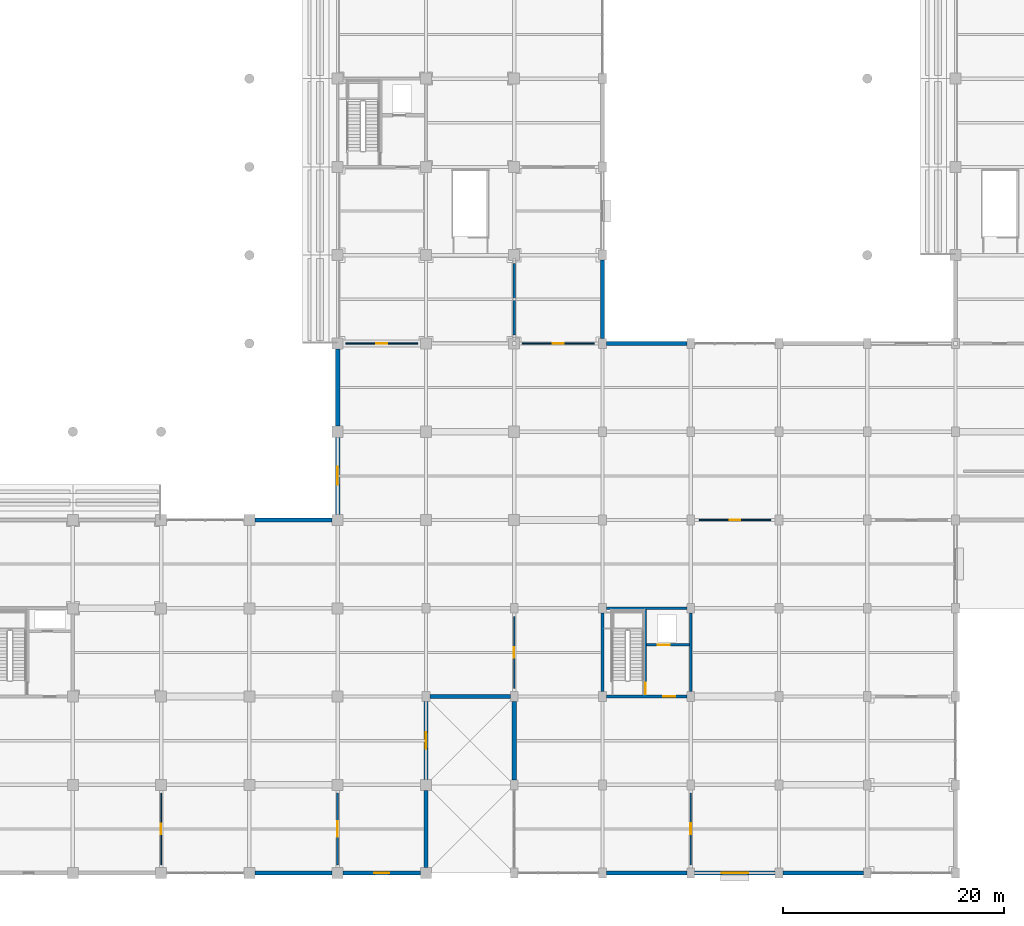
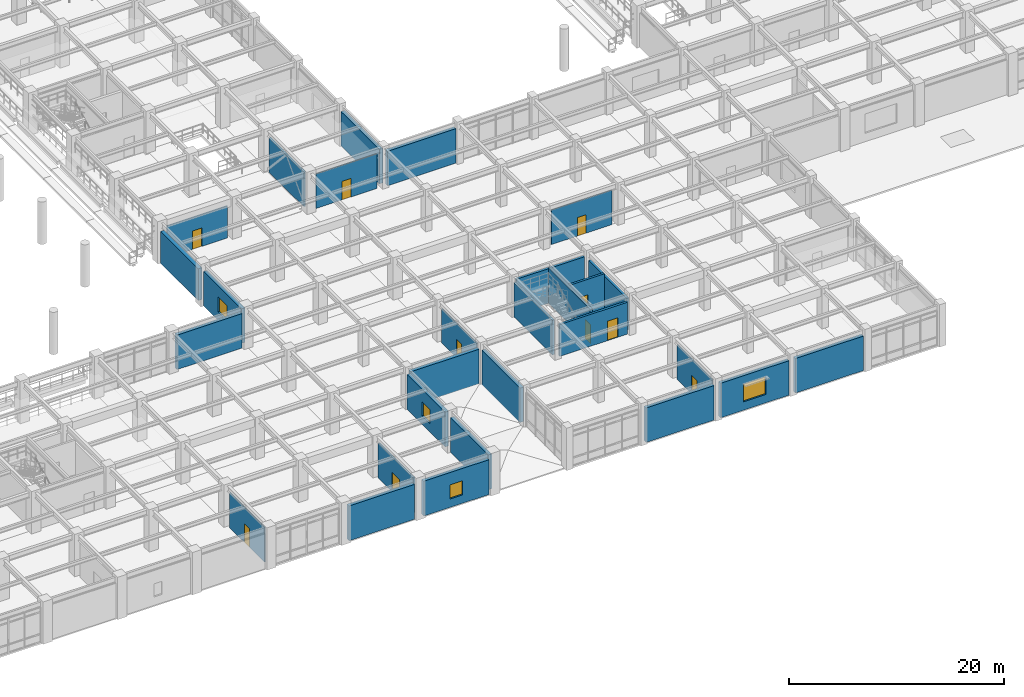
# One storey, part 76 of 117: 28 walls, 10 doors, 4 windows, 14 openings.
"""IFC4 building model written with IfcOpenShell, lengths in metres."""

from ifc_helpers import new_model, si_unit, direction, frame, frame_2d, origin, place, context, subcontext, project, spatial, rectangle, extrude, material, layer, layer_set, type_object, element, fill, save


model = new_model("IFC4")

# Units and contexts
model_context = context("Model", 3, precision=1e-05, world=origin(), true_north=direction((0.0, 1.0)))
body_context = subcontext(model_context, "Body", "Model", "MODEL_VIEW")
ifc_project = project(units=[si_unit("LENGTHUNIT", "METRE"), si_unit("AREAUNIT", "SQUARE_METRE"), si_unit("VOLUMEUNIT", "CUBIC_METRE"), si_unit("PLANEANGLEUNIT", "RADIAN"), si_unit("MASSUNIT", "GRAM", prefix="KILO")], contexts=[model_context])

# Site, building, storey
site_placement = place(None, origin())
site = spatial("IfcSite", under=ifc_project, at=site_placement, CompositionType="ELEMENT")
building_placement = place(site_placement, origin())
building = spatial("IfcBuilding", under=site, at=building_placement, Name="Haebicheon Civic Stadium", CompositionType="ELEMENT")
storey_placement = place(building_placement, frame((0.0, 0.0, 4.800048828125)))
storey = spatial("IfcBuildingStorey", under=building, at=storey_placement, Name="L02", CompositionType="ELEMENT", Elevation=4.800048828125)

# Wall, opening, door
ifc_material_1 = material(Name="Concrete C40/50", Category="concrete")
ifc_layer_1 = layer(ifc_material_1, 0.239990234375, Name="Concrete C40/50")
ifc_layer_set_1 = layer_set([ifc_layer_1], Name="Concrete C40/50")
wall_type_1 = type_object("IfcWallType", Name="CW-SHR-240", PredefinedType="SHEAR", material=ifc_layer_set_1)
wall_1_placement = place(storey_placement, frame((168.35009765625, 16.0, 0.0), z_axis=(0.0, 0.0, 1.0), x_axis=(1.0, 0.0, 0.0)))
wall_1 = element("IfcWall", 1, at=wall_1_placement, inside=storey, type_object=wall_type_1, material=ifc_layer_set_1, Name="KC-14 L02 south core shear wall", PredefinedType="SHEAR", context=body_context, shape_type="SweptSolid", body=[
    extrude(rectangle(XDim=7.2998046875, YDim=0.239990234375, at=frame_2d((3.64990234375, 0.0))), origin(), (0.0, 0.0, 1.0), 3.60986328125),
])
opening_1_placement = place(wall_1_placement, frame((5.14990234375, 0.0, 0.0)))
opening_1 = element("IfcOpeningElement", 2, at=opening_1_placement, cuts=wall_1, Name="Opening D-L02-KC-14-LOB", PredefinedType="OPENING", context=body_context, shape_type="SweptSolid", body=[
    extrude(rectangle(XDim=1.10009765625, YDim=2.199951171875, at=frame_2d((0.550048828125, 1.10009765625))), frame((0.0, 0.1298828125, 0.0), z_axis=(0.0, -1.0, 0.0), x_axis=(1.0, 0.0, 0.0)), (0.0, 0.0, 1.0), 0.260009765625),
])
ifc_material_2 = material(Name="Galvanised painted steel SM355", Category="steel")
door_type_1 = type_object("IfcDoorType", Name="ID-FD-1100", OperationType="NOTDEFINED", PredefinedType="DOOR", material=ifc_material_2)
door_1_placement = place(opening_1_placement, origin())
door_1 = element("IfcDoor", 3, at=door_1_placement, inside=storey, type_object=door_type_1, material=ifc_material_2, Name="L02 KC-14 lobby fire door", OperationType="SINGLE_SWING_RIGHT", OverallHeight=2.199951171875, OverallWidth=1.10009765625, PredefinedType="DOOR", context=body_context, shape_type="SweptSolid", body=[
    extrude(rectangle(XDim=1.10009765625, YDim=2.199951171875, at=frame_2d((0.550048828125, 1.10009765625))), frame((0.0, 0.02490234375, 0.0), z_axis=(0.0, -1.0, 0.0), x_axis=(1.0, 0.0, 0.0)), (0.0, 0.0, 1.0), 0.050048828125),
])
fill(opening_1, door_1)

# Walls
wall_2_placement = place(storey_placement, frame((168.35009765625, 24.0, 0.0), z_axis=(0.0, 0.0, 1.0), x_axis=(1.0, 0.0, 0.0)))
element("IfcWall", 4, at=wall_2_placement, inside=storey, type_object=wall_type_1, material=ifc_layer_set_1, Name="KC-14 L02 north core shear wall", PredefinedType="SHEAR", context=body_context, shape_type="SweptSolid", body=[
    extrude(rectangle(XDim=7.2998046875, YDim=0.239990234375, at=frame_2d((3.64990234375, 0.0))), origin(), (0.0, 0.0, 1.0), 3.909912109375),
])
wall_3_placement = place(storey_placement, frame((168.0, 16.449951171875, 0.0), z_axis=(0.0, 0.0, 1.0), x_axis=(0.0, 1.0, 0.0)))
element("IfcWall", 5, at=wall_3_placement, inside=storey, type_object=wall_type_1, material=ifc_layer_set_1, Name="KC-14 L02 west core shear wall", PredefinedType="SHEAR", context=body_context, shape_type="SweptSolid", body=[
    extrude(rectangle(XDim=7.10009765625, YDim=0.239990234375, at=frame_2d((3.550048828125, 0.0))), origin(), (0.0, 0.0, 1.0), 3.909912109375),
])
wall_4_placement = place(storey_placement, frame((176.0, 16.449951171875, 0.0), z_axis=(0.0, 0.0, 1.0), x_axis=(0.0, 1.0, 0.0)))
element("IfcWall", 6, at=wall_4_placement, inside=storey, type_object=wall_type_1, material=ifc_layer_set_1, Name="KC-14 L02 east core shear wall", PredefinedType="SHEAR", context=body_context, shape_type="SweptSolid", body=[
    extrude(rectangle(XDim=7.10009765625, YDim=0.239990234375, at=frame_2d((3.550048828125, 0.0))), origin(), (0.0, 0.0, 1.0), 3.60986328125),
])

# Wall, opening, door
wall_5_placement = place(storey_placement, frame((171.8798828125, 16.1201171875, 0.0), z_axis=(0.0, 0.0, 1.0), x_axis=(0.0, 1.0, 0.0)))
wall_5 = element("IfcWall", 7, at=wall_5_placement, inside=storey, type_object=wall_type_1, material=ifc_layer_set_1, Name="KC-14 L02 stair-lobby dividing shear wall", PredefinedType="SHEAR", context=body_context, shape_type="SweptSolid", body=[
    extrude(rectangle(XDim=7.759765625, YDim=0.239990234375, at=frame_2d((3.8798828125, 0.0))), origin(), (0.0, 0.0, 1.0), 4.010009765625),
])
opening_2_placement = place(wall_5_placement, frame((0.080078125, 0.0, 0.0)))
opening_2 = element("IfcOpeningElement", 8, at=opening_2_placement, cuts=wall_5, Name="Opening D-L02-KC-14-STR", PredefinedType="OPENING", context=body_context, shape_type="SweptSolid", body=[
    extrude(rectangle(XDim=1.050048828125, YDim=2.14990234375, at=frame_2d((0.52490234375, 1.074951171875))), frame((0.0, 0.1298828125, 0.0), z_axis=(0.0, -1.0, 0.0), x_axis=(1.0, 0.0, 0.0)), (0.0, 0.0, 1.0), 0.260009765625),
])
ifc_material_3 = material(Name="Galvanised painted steel SM355", Category="steel")
door_type_2 = type_object("IfcDoorType", Name="ID-FD-1050", OperationType="NOTDEFINED", PredefinedType="DOOR", material=ifc_material_3)
door_2_placement = place(opening_2_placement, origin())
door_2 = element("IfcDoor", 9, at=door_2_placement, inside=storey, type_object=door_type_2, material=ifc_material_3, Name="L02 ST-14 stairwell escape door", OperationType="SINGLE_SWING_LEFT", OverallHeight=2.14990234375, OverallWidth=1.050048828125, PredefinedType="DOOR", context=body_context, shape_type="SweptSolid", body=[
    extrude(rectangle(XDim=1.050048828125, YDim=2.14990234375, at=frame_2d((0.52490234375, 1.074951171875))), frame((0.0, 0.02490234375, 0.0), z_axis=(0.0, -1.0, 0.0), x_axis=(1.0, 0.0, 0.0)), (0.0, 0.0, 1.0), 0.050048828125),
])
fill(opening_2, door_2)

wall_6_placement = place(storey_placement, frame((172.0, 20.679931640625, 0.0), z_axis=(0.0, 0.0, 1.0), x_axis=(1.0, 0.0, 0.0)))
wall_6 = element("IfcWall", 10, at=wall_6_placement, inside=storey, type_object=wall_type_1, material=ifc_layer_set_1, Name="KC-14 L02 lift shaft front wall", PredefinedType="SHEAR", context=body_context, shape_type="SweptSolid", body=[
    extrude(rectangle(XDim=3.8798828125, YDim=0.239990234375, at=frame_2d((1.93994140625, 0.0))), origin(), (0.0, 0.0, 1.0), 3.909912109375),
])
opening_3_placement = place(wall_6_placement, frame((1.0, 0.0, 0.0)))
opening_3 = element("IfcOpeningElement", 11, at=opening_3_placement, cuts=wall_6, Name="Opening LD-10-L02", PredefinedType="OPENING", context=body_context, shape_type="SweptSolid", body=[
    extrude(rectangle(XDim=1.10009765625, YDim=2.14990234375, at=frame_2d((0.550048828125, 1.074951171875))), frame((0.0, 0.1298828125, 0.0), z_axis=(0.0, -1.0, 0.0), x_axis=(1.0, 0.0, 0.0)), (0.0, 0.0, 1.0), 0.260009765625),
])
ifc_material_4 = material(Name="Stainless steel 316", Category="steel")
door_type_3 = type_object("IfcDoorType", Name="ID-LD-1100", OperationType="NOTDEFINED", PredefinedType="DOOR", material=ifc_material_4)
door_3_placement = place(opening_3_placement, origin())
door_3 = element("IfcDoor", 12, at=door_3_placement, inside=storey, type_object=door_type_3, material=ifc_material_4, Name="LF-10 lift landing sliding door L02", OperationType="SLIDING_TO_LEFT", OverallHeight=2.14990234375, OverallWidth=1.10009765625, PredefinedType="DOOR", context=body_context, shape_type="SweptSolid", body=[
    extrude(rectangle(XDim=1.10009765625, YDim=2.14990234375, at=frame_2d((0.550048828125, 1.074951171875))), frame((0.0, 0.02490234375, 0.0), z_axis=(0.0, -1.0, 0.0), x_axis=(1.0, 0.0, 0.0)), (0.0, 0.0, 1.0), 0.050048828125),
])
fill(opening_3, door_3)

# Walls
ifc_material_5 = material(Name="Concrete C40/50", Category="concrete")
ifc_layer_2 = layer(ifc_material_5, 0.3798828125, Name="Concrete C40/50")
ifc_layer_set_2 = layer_set([ifc_layer_2], Name="Concrete C40/50")
wall_type_2 = type_object("IfcWallType", Name="EW-BM-380", PredefinedType="SOLIDWALL", material=ifc_layer_set_2)
wall_7_placement = place(storey_placement, frame((136.5, 0.0, 0.0), z_axis=(0.0, 0.0, 1.0), x_axis=(1.0, 0.0, 0.0)))
element("IfcWall", 13, at=wall_7_placement, inside=storey, type_object=wall_type_2, material=ifc_layer_set_2, Name="L02 board-marked concrete facade wall 17-00-S", PredefinedType="SOLIDWALL", context=body_context, shape_type="SweptSolid", body=[
    extrude(rectangle(XDim=7.0, YDim=0.3798828125, at=frame_2d((3.5, 0.0))), origin(), (0.0, 0.0, 1.0), 3.949951171875),
])
wall_8_placement = place(storey_placement, frame((136.5, 32.0, 0.0), z_axis=(0.0, 0.0, 1.0), x_axis=(1.0, 0.0, 0.0)))
element("IfcWall", 14, at=wall_8_placement, inside=storey, type_object=wall_type_2, material=ifc_layer_set_2, Name="L02 board-marked concrete facade wall 17-04-N", PredefinedType="SOLIDWALL", context=body_context, shape_type="SweptSolid", body=[
    extrude(rectangle(XDim=7.0, YDim=0.3798828125, at=frame_2d((3.5, 0.0))), origin(), (0.0, 0.0, 1.0), 3.909912109375),
])

# Wall, opening, window
wall_9_placement = place(storey_placement, frame((144.5, 0.0, 0.0), z_axis=(0.0, 0.0, 1.0), x_axis=(1.0, 0.0, 0.0)))
wall_9 = element("IfcWall", 15, at=wall_9_placement, inside=storey, type_object=wall_type_2, material=ifc_layer_set_2, Name="L02 board-marked concrete facade wall 18-00-S", PredefinedType="SOLIDWALL", context=body_context, shape_type="SweptSolid", body=[
    extrude(rectangle(XDim=7.0, YDim=0.3798828125, at=frame_2d((3.5, 0.0))), origin(), (0.0, 0.0, 1.0), 3.949951171875),
])
opening_4_placement = place(wall_9_placement, frame((2.824951171875, 0.0, 0.949951171875)))
opening_4 = element("IfcOpeningElement", 16, at=opening_4_placement, cuts=wall_9, Name="Opening WIN-135x160", PredefinedType="OPENING", context=body_context, shape_type="SweptSolid", body=[
    extrude(rectangle(XDim=1.35009765625, YDim=1.60009765625, at=frame_2d((0.675048828125, 0.800048828125))), frame((0.0, 0.199951171875, 0.0), z_axis=(0.0, -1.0, 0.0), x_axis=(1.0, 0.0, 0.0)), (0.0, 0.0, 1.0), 0.39990234375),
])
ifc_material_6 = material(Name="Anodised aluminium and laminated glass", Category="aluminium")
window_type_1 = type_object("IfcWindowType", Name="WIN-135x160", PartitioningType="SINGLE_PANEL", PredefinedType="WINDOW", material=ifc_material_6)
window_1_placement = place(opening_4_placement, origin())
window_1 = element("IfcWindow", 17, at=window_1_placement, inside=storey, type_object=window_type_1, material=ifc_material_6, Name="L02 facade window 048", OverallHeight=1.60009765625, OverallWidth=1.35009765625, PartitioningType="SINGLE_PANEL", PredefinedType="WINDOW", context=body_context, shape_type="SweptSolid", body=[
    extrude(rectangle(XDim=1.35009765625, YDim=1.60009765625, at=frame_2d((0.675048828125, 0.800048828125))), frame((0.0, 0.030029296875, 0.0), z_axis=(0.0, -1.0, 0.0), x_axis=(1.0, 0.0, 0.0)), (0.0, 0.0, 1.0), 0.06005859375),
])
fill(opening_4, window_1)

# Wall
wall_10_placement = place(storey_placement, frame((152.0, 0.5, 0.0), z_axis=(0.0, 0.0, 1.0), x_axis=(0.0, 1.0, 0.0)))
element("IfcWall", 18, at=wall_10_placement, inside=storey, type_object=wall_type_2, material=ifc_layer_set_2, Name="L02 board-marked concrete facade wall 19-00-E", PredefinedType="SOLIDWALL", context=body_context, shape_type="SweptSolid", body=[
    extrude(rectangle(XDim=7.0, YDim=0.3798828125, at=frame_2d((3.5, 0.0))), origin(), (0.0, 0.0, 1.0), 3.949951171875),
])

# Wall, opening, window
wall_11_placement = place(storey_placement, frame((152.0, 8.5, 0.0), z_axis=(0.0, 0.0, 1.0), x_axis=(0.0, 1.0, 0.0)))
wall_11 = element("IfcWall", 19, at=wall_11_placement, inside=storey, type_object=wall_type_2, material=ifc_layer_set_2, Name="L02 board-marked concrete facade wall 19-01-E", PredefinedType="SOLIDWALL", context=body_context, shape_type="SweptSolid", body=[
    extrude(rectangle(XDim=7.050048828125, YDim=0.3798828125, at=frame_2d((3.52490234375, 0.0))), origin(), (0.0, 0.0, 1.0), 3.949951171875),
])
opening_5_placement = place(wall_11_placement, frame((2.77490234375, 0.0, 0.949951171875)))
opening_5 = element("IfcOpeningElement", 20, at=opening_5_placement, cuts=wall_11, Name="Opening WIN-150x160", PredefinedType="OPENING", context=body_context, shape_type="SweptSolid", body=[
    extrude(rectangle(XDim=1.5, YDim=1.60009765625, at=frame_2d((0.75, 0.800048828125))), frame((0.0, 0.199951171875, 0.0), z_axis=(0.0, -1.0, 0.0), x_axis=(1.0, 0.0, 0.0)), (0.0, 0.0, 1.0), 0.39990234375),
])
ifc_material_7 = material(Name="Anodised aluminium and laminated glass", Category="aluminium")
window_type_2 = type_object("IfcWindowType", Name="WIN-150x160", PartitioningType="SINGLE_PANEL", PredefinedType="WINDOW", material=ifc_material_7)
window_2_placement = place(opening_5_placement, origin())
window_2 = element("IfcWindow", 21, at=window_2_placement, inside=storey, type_object=window_type_2, material=ifc_material_7, Name="L02 facade window 049", OverallHeight=1.60009765625, OverallWidth=1.5, PartitioningType="SINGLE_PANEL", PredefinedType="WINDOW", context=body_context, shape_type="SweptSolid", body=[
    extrude(rectangle(XDim=1.5, YDim=1.60009765625, at=frame_2d((0.75, 0.800048828125))), frame((0.0, 0.030029296875, 0.0), z_axis=(0.0, -1.0, 0.0), x_axis=(1.0, 0.0, 0.0)), (0.0, 0.0, 1.0), 0.06005859375),
])
fill(opening_5, window_2)

wall_12_placement = place(storey_placement, frame((144.0, 32.5, 0.0), z_axis=(0.0, 0.0, 1.0), x_axis=(0.0, 1.0, 0.0)))
wall_12 = element("IfcWall", 22, at=wall_12_placement, inside=storey, type_object=wall_type_2, material=ifc_layer_set_2, Name="L02 board-marked concrete facade wall 18-04-W", PredefinedType="SOLIDWALL", context=body_context, shape_type="SweptSolid", body=[
    extrude(rectangle(XDim=7.0, YDim=0.3798828125, at=frame_2d((3.5, 0.0))), origin(), (0.0, 0.0, 1.0), 3.909912109375),
])
opening_6_placement = place(wall_12_placement, frame((2.675048828125, 0.0, 0.949951171875)))
opening_6 = element("IfcOpeningElement", 23, at=opening_6_placement, cuts=wall_12, Name="Opening WIN-165x170", PredefinedType="OPENING", context=body_context, shape_type="SweptSolid", body=[
    extrude(rectangle(XDim=1.64990234375, YDim=1.699951171875, at=frame_2d((0.824951171875, 0.85009765625))), frame((0.0, 0.199951171875, 0.0), z_axis=(0.0, -1.0, 0.0), x_axis=(1.0, 0.0, 0.0)), (0.0, 0.0, 1.0), 0.39990234375),
])
ifc_material_8 = material(Name="Anodised aluminium and laminated glass", Category="aluminium")
window_type_3 = type_object("IfcWindowType", Name="WIN-165x170", PartitioningType="SINGLE_PANEL", PredefinedType="WINDOW", material=ifc_material_8)
window_3_placement = place(opening_6_placement, origin())
window_3 = element("IfcWindow", 24, at=window_3_placement, inside=storey, type_object=window_type_3, material=ifc_material_8, Name="L02 facade window 050", OverallHeight=1.699951171875, OverallWidth=1.64990234375, PartitioningType="SINGLE_PANEL", PredefinedType="WINDOW", context=body_context, shape_type="SweptSolid", body=[
    extrude(rectangle(XDim=1.64990234375, YDim=1.699951171875, at=frame_2d((0.824951171875, 0.85009765625))), frame((0.0, 0.030029296875, 0.0), z_axis=(0.0, -1.0, 0.0), x_axis=(1.0, 0.0, 0.0)), (0.0, 0.0, 1.0), 0.06005859375),
])
fill(opening_6, window_3)

# Walls
wall_13_placement = place(storey_placement, frame((144.0, 40.5, 0.0), z_axis=(0.0, 0.0, 1.0), x_axis=(0.0, 1.0, 0.0)))
element("IfcWall", 25, at=wall_13_placement, inside=storey, type_object=wall_type_2, material=ifc_layer_set_2, Name="L02 board-marked concrete facade wall 18-05-W", PredefinedType="SOLIDWALL", context=body_context, shape_type="SweptSolid", body=[
    extrude(rectangle(XDim=7.0, YDim=0.3798828125, at=frame_2d((3.5, 0.0))), origin(), (0.0, 0.0, 1.0), 3.60986328125),
])
wall_14_placement = place(storey_placement, frame((152.35009765625, 16.0, 0.0), z_axis=(0.0, 0.0, 1.0), x_axis=(1.0, 0.0, 0.0)))
element("IfcWall", 26, at=wall_14_placement, inside=storey, type_object=wall_type_2, material=ifc_layer_set_2, Name="L02 board-marked concrete facade wall 19-02-S", PredefinedType="SOLIDWALL", context=body_context, shape_type="SweptSolid", body=[
    extrude(rectangle(XDim=7.2998046875, YDim=0.3798828125, at=frame_2d((3.64990234375, 0.0))), origin(), (0.0, 0.0, 1.0), 3.909912109375),
])
for number, where, z_axis, x_axis, name in (
    (27, (160.0, 8.449951171875, 0.0), (0.0, 0.0, 1.0), (0.0, 1.0, 0.0), "L02 board-marked concrete facade wall 20-01-W"),
    (28, (168.0, 48.449951171875, 0.0), (0.0, 0.0, 1.0), (0.0, 1.0, 0.0), "L02 board-marked concrete facade wall 21-06-E"),
):
    element("IfcWall", number, at=place(storey_placement, frame(where, z_axis=z_axis, x_axis=x_axis)), inside=storey, type_object=wall_type_2, material=ifc_layer_set_2, Name=name, PredefinedType="SOLIDWALL", context=body_context, shape_type="SweptSolid", body=[
        extrude(rectangle(XDim=7.10009765625, YDim=0.3798828125, at=frame_2d((3.550048828125, 0.0))), origin(), (0.0, 0.0, 1.0), 3.909912109375),
    ])
for number, where, z_axis, x_axis, name in (
    (29, (168.35009765625, 0.0, 0.0), (0.0, 0.0, 1.0), (1.0, 0.0, 0.0), "L02 board-marked concrete facade wall 21-00-S"),
    (30, (168.35009765625, 48.0, 0.0), (0.0, 0.0, 1.0), (1.0, 0.0, 0.0), "L02 board-marked concrete facade wall 21-06-N"),
):
    element("IfcWall", number, at=place(storey_placement, frame(where, z_axis=z_axis, x_axis=x_axis)), inside=storey, type_object=wall_type_2, material=ifc_layer_set_2, Name=name, PredefinedType="SOLIDWALL", context=body_context, shape_type="SweptSolid", body=[
        extrude(rectangle(XDim=7.2998046875, YDim=0.3798828125, at=frame_2d((3.64990234375, 0.0))), origin(), (0.0, 0.0, 1.0), 3.909912109375),
    ])

# Wall, opening, window
wall_15_placement = place(storey_placement, frame((176.35009765625, 0.0, 0.0), z_axis=(0.0, 0.0, 1.0), x_axis=(1.0, 0.0, 0.0)))
wall_15 = element("IfcWall", 31, at=wall_15_placement, inside=storey, type_object=wall_type_2, material=ifc_layer_set_2, Name="L02 board-marked concrete facade wall 22-00-S", PredefinedType="SOLIDWALL", context=body_context, shape_type="SweptSolid", body=[
    extrude(rectangle(XDim=7.2998046875, YDim=0.3798828125, at=frame_2d((3.64990234375, 0.0))), origin(), (0.0, 0.0, 1.0), 3.909912109375),
])
opening_7_placement = place(wall_15_placement, frame((2.449951171875, 0.0, 0.949951171875)))
opening_7 = element("IfcOpeningElement", 32, at=opening_7_placement, cuts=wall_15, Name="Opening WIN-240x200", PredefinedType="OPENING", context=body_context, shape_type="SweptSolid", body=[
    extrude(rectangle(XDim=2.39990234375, YDim=2.0, at=frame_2d((1.199951171875, 1.0))), frame((0.0, 0.199951171875, 0.0), z_axis=(0.0, -1.0, 0.0), x_axis=(1.0, 0.0, 0.0)), (0.0, 0.0, 1.0), 0.39990234375),
])
ifc_material_9 = material(Name="Anodised aluminium and laminated glass", Category="aluminium")
window_type_4 = type_object("IfcWindowType", Name="WIN-240x200", PartitioningType="SINGLE_PANEL", PredefinedType="WINDOW", material=ifc_material_9)
window_4_placement = place(opening_7_placement, origin())
window_4 = element("IfcWindow", 33, at=window_4_placement, inside=storey, type_object=window_type_4, material=ifc_material_9, Name="L02 facade window 055", OverallHeight=2.0, OverallWidth=2.39990234375, PartitioningType="SINGLE_PANEL", PredefinedType="WINDOW", context=body_context, shape_type="SweptSolid", body=[
    extrude(rectangle(XDim=2.39990234375, YDim=2.0, at=frame_2d((1.199951171875, 1.0))), frame((0.0, 0.030029296875, 0.0), z_axis=(0.0, -1.0, 0.0), x_axis=(1.0, 0.0, 0.0)), (0.0, 0.0, 1.0), 0.06005859375),
])
fill(opening_7, window_4)

# Walls
wall_16_placement = place(storey_placement, frame((184.35009765625, 0.0, 0.0), z_axis=(0.0, 0.0, 1.0), x_axis=(1.0, 0.0, 0.0)))
element("IfcWall", 34, at=wall_16_placement, inside=storey, type_object=wall_type_2, material=ifc_layer_set_2, Name="L02 board-marked concrete facade wall 23-00-S", PredefinedType="SOLIDWALL", context=body_context, shape_type="SweptSolid", body=[
    extrude(rectangle(XDim=7.2998046875, YDim=0.3798828125, at=frame_2d((3.64990234375, 0.0))), origin(), (0.0, 0.0, 1.0), 3.909912109375),
])
ifc_material_10 = material(Name="Concrete C35/45", Category="concrete")
ifc_layer_3 = layer(ifc_material_10, 0.199951171875, Name="Concrete C35/45")
ifc_layer_set_3 = layer_set([ifc_layer_3], Name="Concrete C35/45")
wall_type_3 = type_object("IfcWallType", Name="IW-FIR-200", PredefinedType="PARTITIONING", material=ifc_layer_set_3)
wall_17_placement = place(storey_placement, frame((160.0, 48.75, 0.0), z_axis=(0.0, 0.0, 1.0), x_axis=(0.0, 1.0, 0.0)))
element("IfcWall", 35, at=wall_17_placement, inside=storey, type_object=wall_type_3, material=ifc_layer_set_3, Name="L02 braced-frame solid fire wall 20-06", PredefinedType="PARTITIONING", context=body_context, shape_type="SweptSolid", body=[
    extrude(rectangle(XDim=6.5, YDim=0.199951171875, at=frame_2d((3.25, 0.0))), origin(), (0.0, 0.0, 1.0), 3.909912109375),
])

# Wall, opening, door
ifc_material_11 = material(Name="Anodised aluminium and laminated glass", Category="aluminium")
ifc_layer_4 = layer(ifc_material_11, 0.10009765625, Name="Anodised aluminium and laminated glass")
ifc_layer_set_4 = layer_set([ifc_layer_4], Name="Anodised aluminium and laminated glass")
wall_type_4 = type_object("IfcWallType", Name="IW-PRT-100", PredefinedType="PARTITIONING", material=ifc_layer_set_4)
wall_18_placement = place(storey_placement, frame((160.0, 16.75, 0.0), z_axis=(0.0, 0.0, 1.0), x_axis=(0.0, 1.0, 0.0)))
wall_18 = element("IfcWall", 36, at=wall_18_placement, inside=storey, type_object=wall_type_4, material=ifc_layer_set_4, Name="L02 Supporters' Club Lounge partition wall", PredefinedType="PARTITIONING", context=body_context, shape_type="SweptSolid", body=[
    extrude(rectangle(XDim=6.5, YDim=0.10009765625, at=frame_2d((3.25, 0.0))), origin(), (0.0, 0.0, 1.0), 3.909912109375),
])
opening_8_placement = place(wall_18_placement, frame((2.77490234375, 0.0, 0.0)))
opening_8 = element("IfcOpeningElement", 37, at=opening_8_placement, cuts=wall_18, Name="Opening D-L02-233", PredefinedType="OPENING", context=body_context, shape_type="SweptSolid", body=[
    extrude(rectangle(XDim=0.949951171875, YDim=2.10009765625, at=frame_2d((0.47509765625, 1.050048828125))), frame((0.0, 0.06005859375, 0.0), z_axis=(0.0, -1.0, 0.0), x_axis=(1.0, 0.0, 0.0)), (0.0, 0.0, 1.0), 0.1201171875),
])
ifc_material_12 = material(Name="Engineered hardwood timber", Category="wood")
door_type_4 = type_object("IfcDoorType", Name="ID-RM-0950", OperationType="NOTDEFINED", PredefinedType="DOOR", material=ifc_material_12)
door_4_placement = place(opening_8_placement, origin())
door_4 = element("IfcDoor", 38, at=door_4_placement, inside=storey, type_object=door_type_4, material=ifc_material_12, Name="L02 Supporters' Club Lounge entrance door D-L02-233", OperationType="SINGLE_SWING_RIGHT", OverallHeight=2.10009765625, OverallWidth=0.949951171875, PredefinedType="DOOR", context=body_context, shape_type="SweptSolid", body=[
    extrude(rectangle(XDim=0.949951171875, YDim=2.10009765625, at=frame_2d((0.47509765625, 1.050048828125))), frame((0.0, 0.02490234375, 0.0), z_axis=(0.0, -1.0, 0.0), x_axis=(1.0, 0.0, 0.0)), (0.0, 0.0, 1.0), 0.050048828125),
])
fill(opening_8, door_4)

wall_19_placement = place(storey_placement, frame((176.75, 32.0, 0.0), z_axis=(0.0, 0.0, 1.0), x_axis=(1.0, 0.0, 0.0)))
wall_19 = element("IfcWall", 39, at=wall_19_placement, inside=storey, type_object=wall_type_4, material=ifc_layer_set_4, Name="L02 Supporters' Club Lounge partition wall", PredefinedType="PARTITIONING", context=body_context, shape_type="SweptSolid", body=[
    extrude(rectangle(XDim=6.5, YDim=0.10009765625, at=frame_2d((3.25, 0.0))), origin(), (0.0, 0.0, 1.0), 3.909912109375),
])
opening_9_placement = place(wall_19_placement, frame((2.77490234375, 0.0, 0.0)))
opening_9 = element("IfcOpeningElement", 40, at=opening_9_placement, cuts=wall_19, Name="Opening D-L02-241", PredefinedType="OPENING", context=body_context, shape_type="SweptSolid", body=[
    extrude(rectangle(XDim=0.949951171875, YDim=2.10009765625, at=frame_2d((0.47509765625, 1.050048828125))), frame((0.0, 0.06005859375, 0.0), z_axis=(0.0, -1.0, 0.0), x_axis=(1.0, 0.0, 0.0)), (0.0, 0.0, 1.0), 0.1201171875),
])
door_5_placement = place(opening_9_placement, origin())
door_5 = element("IfcDoor", 41, at=door_5_placement, inside=storey, type_object=door_type_4, material=ifc_material_12, Name="L02 Supporters' Club Lounge entrance door D-L02-241", OperationType="SINGLE_SWING_RIGHT", OverallHeight=2.10009765625, OverallWidth=0.949951171875, PredefinedType="DOOR", context=body_context, shape_type="SweptSolid", body=[
    extrude(rectangle(XDim=0.949951171875, YDim=2.10009765625, at=frame_2d((0.47509765625, 1.050048828125))), frame((0.0, 0.02490234375, 0.0), z_axis=(0.0, -1.0, 0.0), x_axis=(1.0, 0.0, 0.0)), (0.0, 0.0, 1.0), 0.050048828125),
])
fill(opening_9, door_5)

wall_20_placement = place(storey_placement, frame((128.0, 0.75, 0.0), z_axis=(0.0, 0.0, 1.0), x_axis=(0.0, 1.0, 0.0)))
wall_20 = element("IfcWall", 42, at=wall_20_placement, inside=storey, type_object=wall_type_4, material=ifc_layer_set_4, Name="L02 Broadcast Technical Rack Room partition wall", PredefinedType="PARTITIONING", context=body_context, shape_type="SweptSolid", body=[
    extrude(rectangle(XDim=6.5, YDim=0.10009765625, at=frame_2d((3.25, 0.0))), origin(), (0.0, 0.0, 1.0), 3.969970703125),
])
opening_10_placement = place(wall_20_placement, frame((2.77490234375, 0.0, 0.0)))
opening_10 = element("IfcOpeningElement", 43, at=opening_10_placement, cuts=wall_20, Name="Opening D-L02-263", PredefinedType="OPENING", context=body_context, shape_type="SweptSolid", body=[
    extrude(rectangle(XDim=0.949951171875, YDim=2.10009765625, at=frame_2d((0.47509765625, 1.050048828125))), frame((0.0, 0.06005859375, 0.0), z_axis=(0.0, -1.0, 0.0), x_axis=(1.0, 0.0, 0.0)), (0.0, 0.0, 1.0), 0.1201171875),
])
door_6_placement = place(opening_10_placement, origin())
door_6 = element("IfcDoor", 44, at=door_6_placement, inside=storey, type_object=door_type_4, material=ifc_material_12, Name="L02 Broadcast Technical Rack Room entrance door D-L02-263", OperationType="SINGLE_SWING_RIGHT", OverallHeight=2.10009765625, OverallWidth=0.949951171875, PredefinedType="DOOR", context=body_context, shape_type="SweptSolid", body=[
    extrude(rectangle(XDim=0.949951171875, YDim=2.10009765625, at=frame_2d((0.47509765625, 1.050048828125))), frame((0.0, 0.02490234375, 0.0), z_axis=(0.0, -1.0, 0.0), x_axis=(1.0, 0.0, 0.0)), (0.0, 0.0, 1.0), 0.050048828125),
])
fill(opening_10, door_6)

ifc_material_13 = material(Name="Gypsum plasterboard on steel studs", Category="gypsum")
ifc_layer_5 = layer(ifc_material_13, 0.1201171875, Name="Gypsum plasterboard on steel studs")
ifc_layer_set_5 = layer_set([ifc_layer_5], Name="Gypsum plasterboard on steel studs")
wall_type_5 = type_object("IfcWallType", Name="IW-PRT-120", PredefinedType="PARTITIONING", material=ifc_layer_set_5)
wall_21_placement = place(storey_placement, frame((160.75, 48.0, 0.0), z_axis=(0.0, 0.0, 1.0), x_axis=(1.0, 0.0, 0.0)))
wall_21 = element("IfcWall", 45, at=wall_21_placement, inside=storey, type_object=wall_type_5, material=ifc_layer_set_5, Name="L02 Sports Heritage Reading Room partition wall", PredefinedType="PARTITIONING", context=body_context, shape_type="SweptSolid", body=[
    extrude(rectangle(XDim=6.5, YDim=0.1201171875, at=frame_2d((3.25, 0.0))), origin(), (0.0, 0.0, 1.0), 3.909912109375),
])
opening_11_placement = place(wall_21_placement, frame((2.75, 0.0, 0.0)))
opening_11 = element("IfcOpeningElement", 46, at=opening_11_placement, cuts=wall_21, Name="Opening D-L02-234", PredefinedType="OPENING", context=body_context, shape_type="SweptSolid", body=[
    extrude(rectangle(XDim=1.0, YDim=2.10009765625, at=frame_2d((0.5, 1.050048828125))), frame((0.0, 0.070068359375, 0.0), z_axis=(0.0, -1.0, 0.0), x_axis=(1.0, 0.0, 0.0)), (0.0, 0.0, 1.0), 0.14013671875),
])
ifc_material_14 = material(Name="Engineered hardwood timber", Category="wood")
door_type_5 = type_object("IfcDoorType", Name="ID-RM-1000", OperationType="NOTDEFINED", PredefinedType="DOOR", material=ifc_material_14)
door_7_placement = place(opening_11_placement, origin())
door_7 = element("IfcDoor", 47, at=door_7_placement, inside=storey, type_object=door_type_5, material=ifc_material_14, Name="L02 Sports Heritage Reading Room entrance door D-L02-234", OperationType="SINGLE_SWING_LEFT", OverallHeight=2.10009765625, OverallWidth=1.0, PredefinedType="DOOR", context=body_context, shape_type="SweptSolid", body=[
    extrude(rectangle(XDim=1.0, YDim=2.10009765625, at=frame_2d((0.5, 1.050048828125))), frame((0.0, 0.02490234375, 0.0), z_axis=(0.0, -1.0, 0.0), x_axis=(1.0, 0.0, 0.0)), (0.0, 0.0, 1.0), 0.050048828125),
])
fill(opening_11, door_7)

ifc_material_15 = material(Name="Gypsum plasterboard on steel studs", Category="gypsum")
ifc_layer_6 = layer(ifc_material_15, 0.1298828125, Name="Gypsum plasterboard on steel studs")
ifc_layer_set_6 = layer_set([ifc_layer_6], Name="Gypsum plasterboard on steel studs")
wall_type_6 = type_object("IfcWallType", Name="IW-PRT-130", PredefinedType="PARTITIONING", material=ifc_layer_set_6)
wall_22_placement = place(storey_placement, frame((144.75, 48.0, 0.0), z_axis=(0.0, 0.0, 1.0), x_axis=(1.0, 0.0, 0.0)))
wall_22 = element("IfcWall", 48, at=wall_22_placement, inside=storey, type_object=wall_type_6, material=ifc_layer_set_6, Name="L02 Merchandise Kiosk partition wall", PredefinedType="PARTITIONING", context=body_context, shape_type="SweptSolid", body=[
    extrude(rectangle(XDim=6.5, YDim=0.1298828125, at=frame_2d((3.25, 0.0))), origin(), (0.0, 0.0, 1.0), 3.60986328125),
])
opening_12_placement = place(wall_22_placement, frame((2.75, 0.0, 0.0)))
opening_12 = element("IfcOpeningElement", 49, at=opening_12_placement, cuts=wall_22, Name="Opening D-L02-216", PredefinedType="OPENING", context=body_context, shape_type="SweptSolid", body=[
    extrude(rectangle(XDim=1.0, YDim=2.10009765625, at=frame_2d((0.5, 1.050048828125))), frame((0.0, 0.074951171875, 0.0), z_axis=(0.0, -1.0, 0.0), x_axis=(1.0, 0.0, 0.0)), (0.0, 0.0, 1.0), 0.14990234375),
])
door_8_placement = place(opening_12_placement, origin())
door_8 = element("IfcDoor", 50, at=door_8_placement, inside=storey, type_object=door_type_5, material=ifc_material_14, Name="L02 Merchandise Kiosk entrance door D-L02-216", OperationType="SINGLE_SWING_RIGHT", OverallHeight=2.10009765625, OverallWidth=1.0, PredefinedType="DOOR", context=body_context, shape_type="SweptSolid", body=[
    extrude(rectangle(XDim=1.0, YDim=2.10009765625, at=frame_2d((0.5, 1.050048828125))), frame((0.0, 0.02490234375, 0.0), z_axis=(0.0, -1.0, 0.0), x_axis=(1.0, 0.0, 0.0)), (0.0, 0.0, 1.0), 0.050048828125),
])
fill(opening_12, door_8)

wall_23_placement = place(storey_placement, frame((176.0, 0.75, 0.0), z_axis=(0.0, 0.0, 1.0), x_axis=(0.0, 1.0, 0.0)))
wall_23 = element("IfcWall", 51, at=wall_23_placement, inside=storey, type_object=wall_type_6, material=ifc_layer_set_6, Name="L02 Sports Heritage Reading Room partition wall", PredefinedType="PARTITIONING", context=body_context, shape_type="SweptSolid", body=[
    extrude(rectangle(XDim=6.5, YDim=0.1298828125, at=frame_2d((3.25, 0.0))), origin(), (0.0, 0.0, 1.0), 3.909912109375),
])
opening_13_placement = place(wall_23_placement, frame((2.75, 0.0, 0.0)))
opening_13 = element("IfcOpeningElement", 52, at=opening_13_placement, cuts=wall_23, Name="Opening D-L02-240", PredefinedType="OPENING", context=body_context, shape_type="SweptSolid", body=[
    extrude(rectangle(XDim=1.0, YDim=2.10009765625, at=frame_2d((0.5, 1.050048828125))), frame((0.0, 0.074951171875, 0.0), z_axis=(0.0, -1.0, 0.0), x_axis=(1.0, 0.0, 0.0)), (0.0, 0.0, 1.0), 0.14990234375),
])
door_9_placement = place(opening_13_placement, origin())
door_9 = element("IfcDoor", 53, at=door_9_placement, inside=storey, type_object=door_type_5, material=ifc_material_14, Name="L02 Sports Heritage Reading Room entrance door D-L02-240", OperationType="SINGLE_SWING_LEFT", OverallHeight=2.10009765625, OverallWidth=1.0, PredefinedType="DOOR", context=body_context, shape_type="SweptSolid", body=[
    extrude(rectangle(XDim=1.0, YDim=2.10009765625, at=frame_2d((0.5, 1.050048828125))), frame((0.0, 0.02490234375, 0.0), z_axis=(0.0, -1.0, 0.0), x_axis=(1.0, 0.0, 0.0)), (0.0, 0.0, 1.0), 0.050048828125),
])
fill(opening_13, door_9)

ifc_material_16 = material(Name="Concrete C35/45", Category="concrete")
ifc_layer_7 = layer(ifc_material_16, 0.179931640625, Name="Concrete C35/45")
ifc_layer_set_7 = layer_set([ifc_layer_7], Name="Concrete C35/45")
wall_type_7 = type_object("IfcWallType", Name="IW-PRT-180", PredefinedType="PARTITIONING", material=ifc_layer_set_7)
wall_24_placement = place(storey_placement, frame((144.0, 0.75, 0.0), z_axis=(0.0, 0.0, 1.0), x_axis=(0.0, 1.0, 0.0)))
wall_24 = element("IfcWall", 54, at=wall_24_placement, inside=storey, type_object=wall_type_7, material=ifc_layer_set_7, Name="L02 Acoustic Heat-Pump Plant partition wall", PredefinedType="PARTITIONING", context=body_context, shape_type="SweptSolid", body=[
    extrude(rectangle(XDim=6.5, YDim=0.179931640625, at=frame_2d((3.25, 0.0))), origin(), (0.0, 0.0, 1.0), 3.969970703125),
])
opening_14_placement = place(wall_24_placement, frame((2.550048828125, 0.0, 0.0)))
opening_14 = element("IfcOpeningElement", 55, at=opening_14_placement, cuts=wall_24, Name="Opening D-L02-264", PredefinedType="OPENING", context=body_context, shape_type="SweptSolid", body=[
    extrude(rectangle(XDim=1.39990234375, YDim=2.199951171875, at=frame_2d((0.699951171875, 1.10009765625))), frame((0.0, 0.099853515625, 0.0), z_axis=(0.0, -1.0, 0.0), x_axis=(1.0, 0.0, 0.0)), (0.0, 0.0, 1.0), 0.199951171875),
])
ifc_material_17 = material(Name="Galvanised painted steel SM355", Category="steel")
door_type_6 = type_object("IfcDoorType", Name="ID-PLT-1400", OperationType="NOTDEFINED", PredefinedType="DOOR", material=ifc_material_17)
door_10_placement = place(opening_14_placement, origin())
door_10 = element("IfcDoor", 56, at=door_10_placement, inside=storey, type_object=door_type_6, material=ifc_material_17, Name="L02 Acoustic Heat-Pump Plant entrance door D-L02-264", OperationType="SINGLE_SWING_LEFT", OverallHeight=2.199951171875, OverallWidth=1.39990234375, PredefinedType="DOOR", context=body_context, shape_type="SweptSolid", body=[
    extrude(rectangle(XDim=1.39990234375, YDim=2.199951171875, at=frame_2d((0.699951171875, 1.10009765625))), frame((0.0, 0.02490234375, 0.0), z_axis=(0.0, -1.0, 0.0), x_axis=(1.0, 0.0, 0.0)), (0.0, 0.0, 1.0), 0.050048828125),
])
fill(opening_14, door_10)

save(model, "model.ifc")
